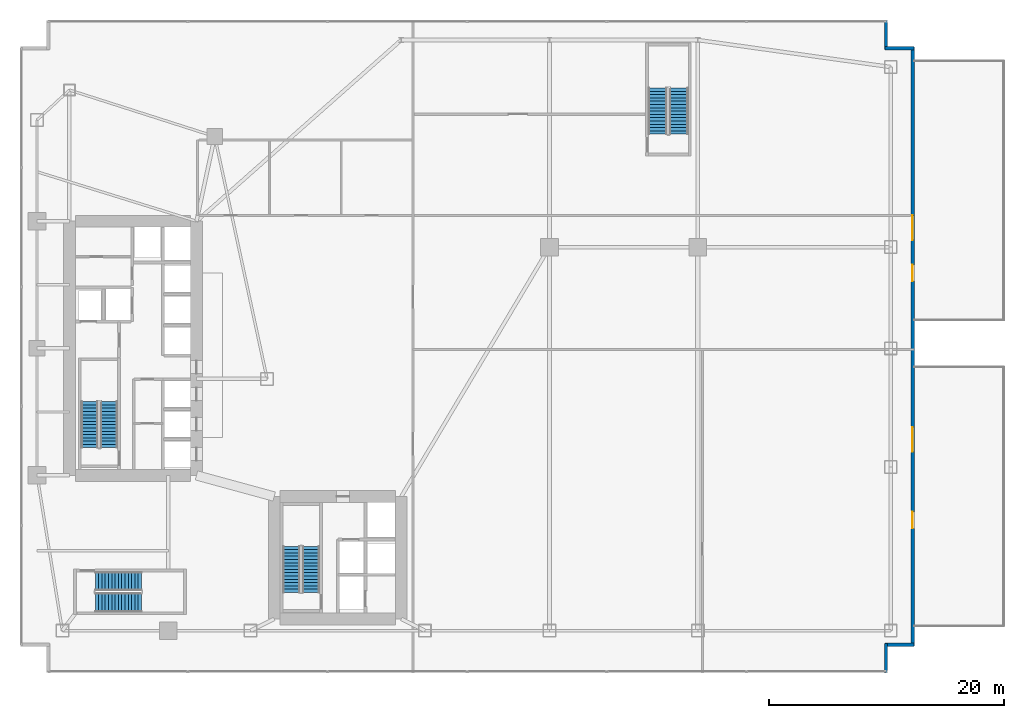
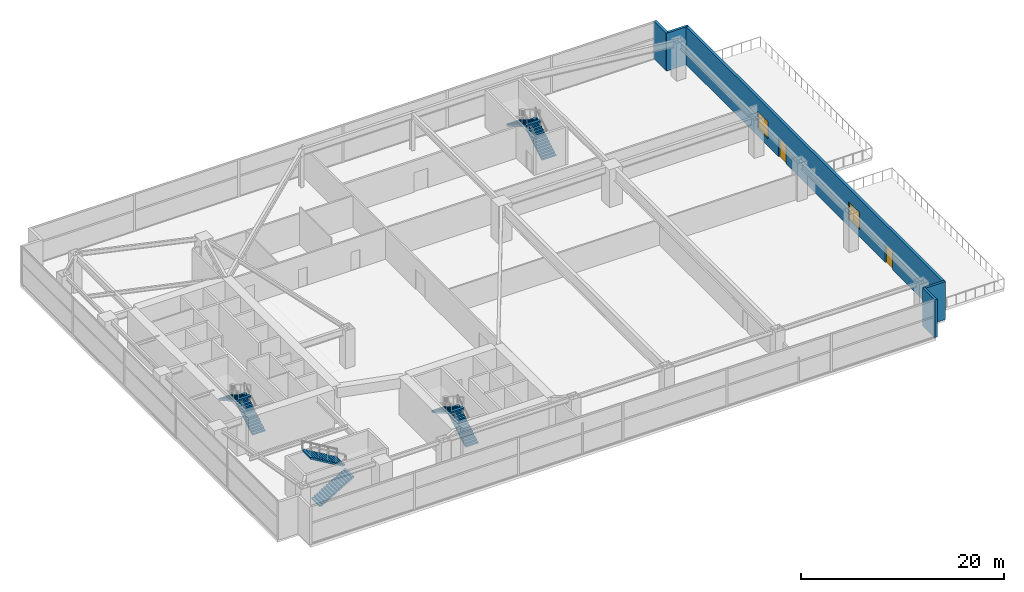
# One storey, part 27 of 30: 8 stair flights, 5 walls, 2 doors, 2 windows, 4 openings, 4 elements without a shape of their own.
"""IFC4 building model written with IfcOpenShell, lengths in metres."""

import ifcopenshell
import ifcopenshell.guid

model = None  # the IFC model being written
_history = None  # IfcOwnerHistory: only IFC2X3 demands one
_inside = {}  # id of a spatial element -> (the spatial element, [elements in it])
_under = {}  # id of a project, library or spatial element -> (it, [spatial elements below it])
_declared = {}  # id of a project -> (the project, [libraries it declares])
_typed = {}  # id of a type object -> (the type object, [elements of that type])
_made_of = {}  # id of a material, layer set ... -> (it, [elements and type objects made of it])


def new_model(schema):
    """Start an empty IFC model of exactly this schema.

    Asked for "IFC4X3", IfcOpenShell would pick the latest addendum, in which some entities
    have other attributes; the version numbers below select the first issue.
    IFC2X3 requires an IfcOwnerHistory on every rooted entity: one is made here for all.
    """
    global model, _history
    if schema == "IFC4X3":
        model = ifcopenshell.file(schema_version=(4, 3, 0, 0))
    else:
        model = ifcopenshell.file(schema=schema)
    _inside.clear()
    _under.clear()
    _declared.clear()
    _typed.clear()
    _made_of.clear()
    _history = None
    if model.schema == "IFC2X3":
        org = make("IfcOrganization", Name="unknown")
        user = make(
            "IfcPersonAndOrganization",
            ThePerson=make("IfcPerson", FamilyName="unknown"),
            TheOrganization=org,
        )
        app = make(
            "IfcApplication",
            ApplicationDeveloper=org,
            Version="unknown",
            ApplicationFullName="unknown",
            ApplicationIdentifier="unknown",
        )
        _history = make(
            "IfcOwnerHistory",
            OwningUser=user,
            OwningApplication=app,
            ChangeAction="ADDED",
            CreationDate=0,
        )
    return model


def make(cls, **values):
    """One entity of the class cls with the attributes given. An attribute that is None is left unset."""
    return model.create_entity(
        cls, **{name: value for name, value in values.items() if value is not None}
    )


def rooted(cls, **values):
    """An entity with a GlobalId (a new one), such as an element, a storey or a relation."""
    return make(cls, GlobalId=ifcopenshell.guid.new(), OwnerHistory=_history, **values)


def si_unit(unit_type, name, prefix=None):
    """IfcSIUnit, for example si_unit("LENGTHUNIT", "METRE", prefix="MILLI")."""
    return make("IfcSIUnit", UnitType=unit_type, Prefix=prefix, Name=name)


def assignment(units):
    """IfcUnitAssignment: the units of a project."""
    return None if units is None else make("IfcUnitAssignment", Units=units)


def point(xyz):
    """IfcCartesianPoint."""
    return None if xyz is None else make("IfcCartesianPoint", Coordinates=xyz)


def direction(xyz):
    """IfcDirection."""
    return None if xyz is None else make("IfcDirection", DirectionRatios=xyz)


def frame(location, z_axis=None, x_axis=None):
    """IfcAxis2Placement3D, a coordinate frame: its origin and axes. An axis left out is left unset."""
    return make(
        "IfcAxis2Placement3D",
        Location=point(location),
        Axis=direction(z_axis),
        RefDirection=direction(x_axis),
    )


def frame_2d(location, x_axis=None):
    """IfcAxis2Placement2D, a coordinate frame in the plane: its origin and x axis."""
    return make(
        "IfcAxis2Placement2D", Location=point(location), RefDirection=direction(x_axis)
    )


def origin():
    """The frame at (0, 0, 0) with its axes left unset."""
    return frame((0.0, 0.0, 0.0))


def place(relative_to, where):
    """IfcLocalPlacement: puts the frame where relative to a parent placement (None: the world)."""
    return make(
        "IfcLocalPlacement", PlacementRelTo=relative_to, RelativePlacement=where
    )


def context(
    kind, dimensions, precision=None, world=None, true_north=None, identifier=None
):
    """IfcGeometricRepresentationContext, for example the 3D "Model" context."""
    return make(
        "IfcGeometricRepresentationContext",
        ContextIdentifier=identifier,
        ContextType=kind,
        CoordinateSpaceDimension=dimensions,
        Precision=precision,
        WorldCoordinateSystem=world,
        TrueNorth=true_north,
    )


def subcontext(parent, identifier, kind, view, scale=None):
    """IfcGeometricRepresentationSubContext, for example "Body" below "Model"."""
    return make(
        "IfcGeometricRepresentationSubContext",
        ContextIdentifier=identifier,
        ContextType=kind,
        ParentContext=parent,
        TargetScale=scale,
        TargetView=view,
    )


def project(units=None, contexts=None):
    """IfcProject with its units and contexts."""
    return rooted(
        "IfcProject",
        Name="project",
        RepresentationContexts=contexts,
        UnitsInContext=assignment(units),
    )


def spatial(cls, under=None, at=None, **own):
    """A site, building, storey or space (cls), placed at a placement, below another one or the project."""
    s = rooted(cls, ObjectPlacement=at, **own)
    if under is not None:
        _under.setdefault(under.id(), (under, []))[1].append(s)
    return s


def polyline(points):
    """IfcPolyline through the points."""
    return make("IfcPolyline", Points=[point(p) for p in points])


def profile(cls, at=None, kind="AREA", **sizes):
    """A parametric profile (cls). Its sizes go by their IFC names, for example OverallWidth=200.0."""
    return make(cls, ProfileType=kind, Position=at, **sizes)


def rectangle(**sizes):
    """IfcRectangleProfileDef."""
    return profile("IfcRectangleProfileDef", **sizes)


def outline(outer, holes=None, kind="AREA"):
    """IfcArbitraryClosedProfileDef: a profile drawn as a closed curve; with holes, ...WithVoids."""
    if holes is None:
        return make("IfcArbitraryClosedProfileDef", ProfileType=kind, OuterCurve=outer)
    return make(
        "IfcArbitraryProfileDefWithVoids",
        ProfileType=kind,
        OuterCurve=outer,
        InnerCurves=holes,
    )


def extrude(swept, where, along, depth):
    """IfcExtrudedAreaSolid: the profile swept, set in the frame where, extruded along a direction by depth."""
    return make(
        "IfcExtrudedAreaSolid",
        SweptArea=swept,
        Position=where,
        ExtrudedDirection=direction(along),
        Depth=depth,
    )


def shape(context_of_items, identifier, shape_type, items):
    """IfcShapeRepresentation: the items that make up one representation, for example the "Body"."""
    return make(
        "IfcShapeRepresentation",
        ContextOfItems=context_of_items,
        RepresentationIdentifier=identifier,
        RepresentationType=shape_type,
        Items=items,
    )


def material(Name=None, Category=None):
    """IfcMaterial."""
    return make("IfcMaterial", Name=Name, Category=Category)


def layer(
    of_material, thickness, ventilated=None, Name=None, Category=None, Priority=None
):
    """IfcMaterialLayer: one layer of a wall or slab, of a material (None: an air gap)."""
    return make(
        "IfcMaterialLayer",
        Material=of_material,
        LayerThickness=thickness,
        IsVentilated=ventilated,
        Name=Name,
        Category=Category,
        Priority=Priority,
    )


def layer_set(layers, Name=None):
    """IfcMaterialLayerSet."""
    return make("IfcMaterialLayerSet", MaterialLayers=layers, LayerSetName=Name)


def made_of(thing, what):
    """Note that an element or type object is made of a material, layer set ...; save() writes the relation."""
    if what is not None:
        _made_of.setdefault(what.id(), (what, []))[1].append(thing)
    return thing


def type_object(cls, material=None, **own):
    """A type object (cls), such as IfcWallType, which elements share."""
    return made_of(rooted(cls, **own), material)


def element(
    cls,
    number,
    at=None,
    inside=None,
    cuts=None,
    type_object=None,
    material=None,
    context=None,
    identifier="Body",
    shape_type=None,
    held_by="IfcProductDefinitionShape",
    body=None,
    shapes=None,
    **own,
):
    """One element of the class cls, such as IfcWall. Its Tag is "e" and its number.

    at: its placement. inside: the storey or other place that contains it. cuts: it is an
    opening in that element (IfcRelVoidsElement). A single representation is given by context,
    identifier, shape_type and body (its items); several are given by shapes. held_by: the class
    of the entity that holds the representations. save() writes the other relations.
    """
    e = rooted(cls, Tag="e%d" % number, ObjectPlacement=at, **own)
    if body is not None:
        shapes = [shape(context, identifier, shape_type, body)]
    if shapes is not None:
        e.Representation = make(held_by, Representations=shapes)
    if inside is not None:
        _inside.setdefault(inside.id(), (inside, []))[1].append(e)
    if cuts is not None:
        rooted(
            "IfcRelVoidsElement", RelatingBuildingElement=cuts, RelatedOpeningElement=e
        )
    if type_object is not None:
        _typed.setdefault(type_object.id(), (type_object, []))[1].append(e)
    return made_of(e, material)


def fill(opening, filler):
    """IfcRelFillsElement: the door or window that sits in an opening."""
    return rooted(
        "IfcRelFillsElement",
        RelatingOpeningElement=opening,
        RelatedBuildingElement=filler,
    )


def aggregate(whole, parts):
    """IfcRelAggregates: a whole, such as a stair, and the parts it consists of."""
    return rooted("IfcRelAggregates", RelatingObject=whole, RelatedObjects=parts)


def save(model, path):
    """Write the relations noted so far, then the file.

    IfcRelAggregates (storeys below a building ...), IfcRelContainedInSpatialStructure (elements
    in a storey), IfcRelDefinesByType, IfcRelAssociatesMaterial and IfcRelDeclares: one each for
    every whole, place, type object, material and project.
    """
    for whole, parts in _under.values():
        aggregate(whole, parts)
    for where, things in _inside.values():
        rooted(
            "IfcRelContainedInSpatialStructure",
            RelatedElements=things,
            RelatingStructure=where,
        )
    for kind, things in _typed.values():
        rooted("IfcRelDefinesByType", RelatedObjects=things, RelatingType=kind)
    for what, things in _made_of.values():
        rooted("IfcRelAssociatesMaterial", RelatedObjects=things, RelatingMaterial=what)
    for by, libraries in _declared.values():
        rooted("IfcRelDeclares", RelatingContext=by, RelatedDefinitions=libraries)
    model.write(path)


model = new_model("IFC4")

# Units and contexts
model_context = context("Model", 3, precision=1e-05, world=origin(), true_north=direction((0.0, 1.0)))
body_context = subcontext(model_context, "Body", "Model", "MODEL_VIEW")
ifc_project = project(units=[si_unit("LENGTHUNIT", "METRE"), si_unit("AREAUNIT", "SQUARE_METRE"), si_unit("VOLUMEUNIT", "CUBIC_METRE"), si_unit("PLANEANGLEUNIT", "RADIAN"), si_unit("MASSUNIT", "GRAM", prefix="KILO")], contexts=[model_context])

# Site, building, storey
site_placement = place(None, origin())
site = spatial("IfcSite", under=ifc_project, at=site_placement, CompositionType="ELEMENT")
building_placement = place(site_placement, origin())
building = spatial("IfcBuilding", under=site, at=building_placement, Name="Calvorn Quay Hotel", CompositionType="ELEMENT")
storey_placement = place(building_placement, frame((0.0, 0.0, 17.0)))
storey = spatial("IfcBuildingStorey", under=building, at=storey_placement, Name="L03", CompositionType="ELEMENT", Elevation=17.0)

# Walls
ifc_material_1 = material(Name="Concrete C40", Category="concrete")
ifc_layer = layer(ifc_material_1, 0.320068359375)
ifc_layer_set = layer_set([ifc_layer], Name="WL-EXT-SPANDREL-320")
wall_type = type_object("IfcWallType", Name="WL-EXT-SPANDREL-320", PredefinedType="SOLIDWALL", material=ifc_layer_set)
for number, where, z_axis, x_axis, name in (
    (1, (73.60009765625, 0.0400390625, 0.0), (0.0, 0.0, 1.0), (0.0, 1.0, 0.0), "Podium Notched Corner Wall L03-SE1"),
    (2, (73.5, 2.39990234375, 0.0), (0.0, 0.0, 1.0), (1.0, 0.0, 0.0), "Podium Notched Corner Wall L03-SE2"),
    (3, (75.9599609375, 53.10009765625, 0.0), (0.0, 0.0, 1.0), (-1.0, 0.0, 0.0), "Podium Notched Corner Wall L03-NE1"),
    (4, (73.60009765625, 53.0, 0.0), (0.0, 0.0, 1.0), (0.0, 1.0, 0.0), "Podium Notched Corner Wall L03-NE2"),
):
    element("IfcWall", number, at=place(storey_placement, frame(where, z_axis=z_axis, x_axis=x_axis)), inside=storey, type_object=wall_type, Name=name, PredefinedType="SOLIDWALL", context=body_context, shape_type="SweptSolid", body=[
        extrude(rectangle(XDim=2.4599609375, YDim=0.280029296875, at=frame_2d((1.22998046875, 0.0))), origin(), (0.0, 0.0, 1.0), 4.550048828125),
    ])

# Wall, openings, doors, windows
wall_placement = place(storey_placement, frame((75.85009765625, 2.300048828125, 0.0), z_axis=(0.0, 0.0, 1.0), x_axis=(0.0, 1.0, 0.0)))
wall = element("IfcWall", 5, at=wall_placement, inside=storey, type_object=wall_type, Name="L03 Waterfront Terrace Wall", PredefinedType="SOLIDWALL", context=body_context, shape_type="SweptSolid", body=[
    extrude(rectangle(XDim=50.89990234375, YDim=0.300048828125, at=frame_2d((25.449951171875, 0.0))), origin(), (0.0, 0.0, 1.0), 4.550048828125),
])
opening_1_placement = place(wall_placement, frame((10.0, 0.0, 0.0)))
opening_1 = element("IfcOpeningElement", 6, at=opening_1_placement, cuts=wall, Name="Opening D-L03-TR1", PredefinedType="OPENING", context=body_context, shape_type="SweptSolid", body=[
    extrude(rectangle(XDim=1.39990234375, YDim=2.25, at=frame_2d((0.699951171875, 1.125))), frame((0.0, 0.159912109375, 0.0), z_axis=(0.0, -1.0, 0.0), x_axis=(1.0, 0.0, 0.0)), (0.0, 0.0, 1.0), 0.320068359375),
])
opening_2_placement = place(wall_placement, frame((31.0, 0.0, 0.0)))
opening_2 = element("IfcOpeningElement", 7, at=opening_2_placement, cuts=wall, Name="Opening D-L03-TR2", PredefinedType="OPENING", context=body_context, shape_type="SweptSolid", body=[
    extrude(rectangle(XDim=1.39990234375, YDim=2.25, at=frame_2d((0.699951171875, 1.125))), frame((0.0, 0.159912109375, 0.0), z_axis=(0.0, -1.0, 0.0), x_axis=(1.0, 0.0, 0.0)), (0.0, 0.0, 1.0), 0.320068359375),
])
opening_3_placement = place(wall_placement, frame((16.5, 0.0, 0.85009765625)))
opening_3 = element("IfcOpeningElement", 8, at=opening_3_placement, cuts=wall, Name="Opening WD-L03-1", PredefinedType="OPENING", context=body_context, shape_type="SweptSolid", body=[
    extrude(rectangle(XDim=2.10009765625, YDim=2.10009765625, at=frame_2d((1.050048828125, 1.050048828125))), frame((0.0, 0.159912109375, 0.0), z_axis=(0.0, -1.0, 0.0), x_axis=(1.0, 0.0, 0.0)), (0.0, 0.0, 1.0), 0.320068359375),
])
opening_4_placement = place(wall_placement, frame((34.5, 0.0, 0.85009765625)))
opening_4 = element("IfcOpeningElement", 9, at=opening_4_placement, cuts=wall, Name="Opening WD-L03-2", PredefinedType="OPENING", context=body_context, shape_type="SweptSolid", body=[
    extrude(rectangle(XDim=2.10009765625, YDim=2.10009765625, at=frame_2d((1.050048828125, 1.050048828125))), frame((0.0, 0.159912109375, 0.0), z_axis=(0.0, -1.0, 0.0), x_axis=(1.0, 0.0, 0.0)), (0.0, 0.0, 1.0), 0.320068359375),
])
ifc_material_2 = material(Name="Typhoon-Rated Low-E Aluminium Terrace Door", Category="aluminium")
door_type = type_object("IfcDoorType", Name="DR-BALCONY-GLZ-1400", OperationType="NOTDEFINED", PredefinedType="DOOR", material=ifc_material_2)
door_1_placement = place(opening_1_placement, origin())
door_1 = element("IfcDoor", 10, at=door_1_placement, inside=storey, type_object=door_type, Name="L03 Waterfront Terrace Door 1", OperationType="SINGLE_SWING_LEFT", OverallHeight=2.25, OverallWidth=1.39990234375, PredefinedType="DOOR", context=body_context, shape_type="SweptSolid", body=[
    extrude(rectangle(XDim=1.39990234375, YDim=2.25, at=frame_2d((0.699951171875, 1.125))), frame((0.0, 0.02490234375, 0.0), z_axis=(0.0, -1.0, 0.0), x_axis=(1.0, 0.0, 0.0)), (0.0, 0.0, 1.0), 0.050048828125),
])
fill(opening_1, door_1)
door_2_placement = place(opening_2_placement, origin())
door_2 = element("IfcDoor", 11, at=door_2_placement, inside=storey, type_object=door_type, Name="L03 Waterfront Terrace Door 2", OperationType="SINGLE_SWING_LEFT", OverallHeight=2.25, OverallWidth=1.39990234375, PredefinedType="DOOR", context=body_context, shape_type="SweptSolid", body=[
    extrude(rectangle(XDim=1.39990234375, YDim=2.25, at=frame_2d((0.699951171875, 1.125))), frame((0.0, 0.02490234375, 0.0), z_axis=(0.0, -1.0, 0.0), x_axis=(1.0, 0.0, 0.0)), (0.0, 0.0, 1.0), 0.050048828125),
])
fill(opening_2, door_2)
ifc_material_3 = material(Name="Thermally Broken Aluminium Low-E Window", Category="aluminium")
window_type = type_object("IfcWindowType", Name="WIN-DINING-2100x2400", PartitioningType="SINGLE_PANEL", PredefinedType="WINDOW", material=ifc_material_3)
window_1_placement = place(opening_3_placement, origin())
window_1 = element("IfcWindow", 12, at=window_1_placement, inside=storey, type_object=window_type, Name="Dining Terrace Window 1", OverallHeight=2.10009765625, OverallWidth=2.10009765625, PartitioningType="SINGLE_PANEL", PredefinedType="WINDOW", context=body_context, shape_type="SweptSolid", body=[
    extrude(rectangle(XDim=2.10009765625, YDim=2.10009765625, at=frame_2d((1.050048828125, 1.050048828125))), frame((0.0, 0.030029296875, 0.0), z_axis=(0.0, -1.0, 0.0), x_axis=(1.0, 0.0, 0.0)), (0.0, 0.0, 1.0), 0.06005859375),
])
fill(opening_3, window_1)
window_2_placement = place(opening_4_placement, origin())
window_2 = element("IfcWindow", 13, at=window_2_placement, inside=storey, type_object=window_type, Name="Dining Terrace Window 2", OverallHeight=2.10009765625, OverallWidth=2.10009765625, PartitioningType="SINGLE_PANEL", PredefinedType="WINDOW", context=body_context, shape_type="SweptSolid", body=[
    extrude(rectangle(XDim=2.10009765625, YDim=2.10009765625, at=frame_2d((1.050048828125, 1.050048828125))), frame((0.0, 0.030029296875, 0.0), z_axis=(0.0, -1.0, 0.0), x_axis=(1.0, 0.0, 0.0)), (0.0, 0.0, 1.0), 0.06005859375),
])
fill(opening_4, window_2)

# Stair, stair flights
ifc_material_4 = material(Name="Concrete C40", Category="concrete")
stair_type_1 = type_object("IfcStairType", Name="STR-CORE-DOGLEG", PredefinedType="HALF_TURN_STAIR", material=ifc_material_4)
stair_1_placement = place(storey_placement, origin())
stair_1 = element("IfcStair", 14, at=stair_1_placement, inside=storey, type_object=stair_type_1, Name="L03 ST-W", PredefinedType="HALF_TURN_STAIR")
ifc_material_5 = material(Name="Concrete C40", Category="concrete")
stair_flight_type_1 = type_object("IfcStairFlightType", Name="FLT-CORE-1550", PredefinedType="STRAIGHT", material=ifc_material_5)
stair_flight_1_placement = place(storey_placement, frame((7.574951171875, 19.14990234375, 0.0), z_axis=(0.0, 0.0, 1.0), x_axis=(0.0, 1.0, 0.0)))
stair_flight_1 = element("IfcStairFlight", 15, at=stair_flight_1_placement, type_object=stair_flight_type_1, Name="ST-W flight 1", NumberOfRisers=15, NumberOfTreads=14, PredefinedType="STRAIGHT", RiserHeight=0.166666667, TreadLength=0.28, context=body_context, shape_type="SweptSolid", body=[
    extrude(outline(polyline([(0.0, 0.0), (0.0, 0.166748046875), (0.280029296875, 0.166748046875), (0.280029296875, 0.333251953125), (0.56005859375, 0.333251953125), (0.56005859375, 0.5), (0.840087890625, 0.5), (0.840087890625, 0.666748046875), (1.1201171875, 0.666748046875), (1.1201171875, 0.833251953125), (1.39990234375, 0.833251953125), (1.39990234375, 1.0), (1.679931640625, 1.0), (1.679931640625, 1.166748046875), (1.9599609375, 1.166748046875), (1.9599609375, 1.333251953125), (2.239990234375, 1.333251953125), (2.239990234375, 1.5), (2.52001953125, 1.5), (2.52001953125, 1.666748046875), (2.800048828125, 1.666748046875), (2.800048828125, 1.833251953125), (3.080078125, 1.833251953125), (3.080078125, 2.0), (3.360107421875, 2.0), (3.360107421875, 2.166748046875), (3.639892578125, 2.166748046875), (3.639892578125, 2.333251953125), (3.919921875, 2.333251953125), (3.919921875, 2.5), (3.919921875, 2.158935546875), (0.29296875, 0.0), (0.0, 0.0)])), frame((0.0, 0.72509765625, 0.0), z_axis=(0.0, -1.0, 0.0), x_axis=(1.0, 0.0, 0.0)), (0.0, 0.0, 1.0), 1.449951171875),
])
stair_flight_2_placement = place(storey_placement, frame((5.925048828125, 23.070068359375, 2.5), z_axis=(0.0, 0.0, 1.0), x_axis=(0.0, -1.0, 0.0)))
stair_flight_2 = element("IfcStairFlight", 16, at=stair_flight_2_placement, type_object=stair_flight_type_1, Name="ST-W flight 2", NumberOfRisers=15, NumberOfTreads=14, PredefinedType="STRAIGHT", RiserHeight=0.166666667, TreadLength=0.28, context=body_context, shape_type="SweptSolid", body=[
    extrude(outline(polyline([(0.0, 0.0), (0.0, 0.166748046875), (0.280029296875, 0.166748046875), (0.280029296875, 0.333251953125), (0.56005859375, 0.333251953125), (0.56005859375, 0.5), (0.840087890625, 0.5), (0.840087890625, 0.666748046875), (1.1201171875, 0.666748046875), (1.1201171875, 0.833251953125), (1.39990234375, 0.833251953125), (1.39990234375, 1.0), (1.679931640625, 1.0), (1.679931640625, 1.166748046875), (1.9599609375, 1.166748046875), (1.9599609375, 1.333251953125), (2.239990234375, 1.333251953125), (2.239990234375, 1.5), (2.52001953125, 1.5), (2.52001953125, 1.666748046875), (2.800048828125, 1.666748046875), (2.800048828125, 1.833251953125), (3.080078125, 1.833251953125), (3.080078125, 2.0), (3.360107421875, 2.0), (3.360107421875, 2.166748046875), (3.639892578125, 2.166748046875), (3.639892578125, 2.333251953125), (3.919921875, 2.333251953125), (3.919921875, 2.5), (3.919921875, 2.158935546875), (0.29296875, 0.0), (0.0, 0.0)])), frame((0.0, 0.72509765625, 0.0), z_axis=(0.0, -1.0, 0.0), x_axis=(1.0, 0.0, 0.0)), (0.0, 0.0, 1.0), 1.449951171875),
])
aggregate(stair_1, [stair_flight_1, stair_flight_2])

stair_2_placement = place(storey_placement, origin())
stair_2 = element("IfcStair", 17, at=stair_2_placement, inside=storey, type_object=stair_type_1, Name="L03 ST-E", PredefinedType="HALF_TURN_STAIR")
stair_flight_3_placement = place(storey_placement, frame((24.72509765625, 6.85009765625, 0.0), z_axis=(0.0, 0.0, 1.0), x_axis=(0.0, 1.0, 0.0)))
stair_flight_3 = element("IfcStairFlight", 18, at=stair_flight_3_placement, type_object=stair_flight_type_1, Name="ST-E flight 1", NumberOfRisers=15, NumberOfTreads=14, PredefinedType="STRAIGHT", RiserHeight=0.166666667, TreadLength=0.28, context=body_context, shape_type="SweptSolid", body=[
    extrude(outline(polyline([(0.0, 0.0), (0.0, 0.166748046875), (0.280029296875, 0.166748046875), (0.280029296875, 0.333251953125), (0.56005859375, 0.333251953125), (0.56005859375, 0.5), (0.840087890625, 0.5), (0.840087890625, 0.666748046875), (1.1201171875, 0.666748046875), (1.1201171875, 0.833251953125), (1.39990234375, 0.833251953125), (1.39990234375, 1.0), (1.679931640625, 1.0), (1.679931640625, 1.166748046875), (1.9599609375, 1.166748046875), (1.9599609375, 1.333251953125), (2.239990234375, 1.333251953125), (2.239990234375, 1.5), (2.52001953125, 1.5), (2.52001953125, 1.666748046875), (2.800048828125, 1.666748046875), (2.800048828125, 1.833251953125), (3.080078125, 1.833251953125), (3.080078125, 2.0), (3.360107421875, 2.0), (3.360107421875, 2.166748046875), (3.639892578125, 2.166748046875), (3.639892578125, 2.333251953125), (3.919921875, 2.333251953125), (3.919921875, 2.5), (3.919921875, 2.158935546875), (0.29296875, 0.0), (0.0, 0.0)])), frame((0.0, 0.72509765625, 0.0), z_axis=(0.0, -1.0, 0.0), x_axis=(1.0, 0.0, 0.0)), (0.0, 0.0, 1.0), 1.449951171875),
])
stair_flight_4_placement = place(storey_placement, frame((23.074951171875, 10.77001953125, 2.5), z_axis=(0.0, 0.0, 1.0), x_axis=(0.0, -1.0, 0.0)))
stair_flight_4 = element("IfcStairFlight", 19, at=stair_flight_4_placement, type_object=stair_flight_type_1, Name="ST-E flight 2", NumberOfRisers=15, NumberOfTreads=14, PredefinedType="STRAIGHT", RiserHeight=0.166666667, TreadLength=0.28, context=body_context, shape_type="SweptSolid", body=[
    extrude(outline(polyline([(0.0, 0.0), (0.0, 0.166748046875), (0.280029296875, 0.166748046875), (0.280029296875, 0.333251953125), (0.56005859375, 0.333251953125), (0.56005859375, 0.5), (0.840087890625, 0.5), (0.840087890625, 0.666748046875), (1.1201171875, 0.666748046875), (1.1201171875, 0.833251953125), (1.39990234375, 0.833251953125), (1.39990234375, 1.0), (1.679931640625, 1.0), (1.679931640625, 1.166748046875), (1.9599609375, 1.166748046875), (1.9599609375, 1.333251953125), (2.239990234375, 1.333251953125), (2.239990234375, 1.5), (2.52001953125, 1.5), (2.52001953125, 1.666748046875), (2.800048828125, 1.666748046875), (2.800048828125, 1.833251953125), (3.080078125, 1.833251953125), (3.080078125, 2.0), (3.360107421875, 2.0), (3.360107421875, 2.166748046875), (3.639892578125, 2.166748046875), (3.639892578125, 2.333251953125), (3.919921875, 2.333251953125), (3.919921875, 2.5), (3.919921875, 2.158935546875), (0.29296875, 0.0), (0.0, 0.0)])), frame((0.0, 0.72509765625, 0.0), z_axis=(0.0, -1.0, 0.0), x_axis=(1.0, 0.0, 0.0)), (0.0, 0.0, 1.0), 1.449951171875),
])
aggregate(stair_2, [stair_flight_3, stair_flight_4])

ifc_material_6 = material(Name="Concrete C40", Category="concrete")
stair_type_2 = type_object("IfcStairType", Name="STR-POD-DOGLEG", PredefinedType="TWO_QUARTER_TURN_STAIR", material=ifc_material_6)
stair_3_placement = place(storey_placement, origin())
stair_3 = element("IfcStair", 20, at=stair_3_placement, inside=storey, type_object=stair_type_2, Name="L03 ST-P1", PredefinedType="TWO_QUARTER_TURN_STAIR")
ifc_material_7 = material(Name="Concrete C40", Category="concrete")
stair_flight_type_2 = type_object("IfcStairFlightType", Name="FLT-POD-1750", PredefinedType="STRAIGHT", material=ifc_material_7)
stair_flight_5_placement = place(storey_placement, frame((56.0, 45.800048828125, 0.0), z_axis=(0.0, 0.0, 1.0), x_axis=(0.0, 1.0, 0.0)))
stair_flight_5 = element("IfcStairFlight", 21, at=stair_flight_5_placement, type_object=stair_flight_type_2, Name="ST-P1 flight 1", NumberOfRisers=15, NumberOfTreads=14, PredefinedType="STRAIGHT", RiserHeight=0.166666667, TreadLength=0.28, context=body_context, shape_type="SweptSolid", body=[
    extrude(outline(polyline([(0.0, 0.0), (0.0, 0.166748046875), (0.280029296875, 0.166748046875), (0.280029296875, 0.333251953125), (0.56005859375, 0.333251953125), (0.56005859375, 0.5), (0.840087890625, 0.5), (0.840087890625, 0.666748046875), (1.1201171875, 0.666748046875), (1.1201171875, 0.833251953125), (1.39990234375, 0.833251953125), (1.39990234375, 1.0), (1.679931640625, 1.0), (1.679931640625, 1.166748046875), (1.9599609375, 1.166748046875), (1.9599609375, 1.333251953125), (2.239990234375, 1.333251953125), (2.239990234375, 1.5), (2.52001953125, 1.5), (2.52001953125, 1.666748046875), (2.800048828125, 1.666748046875), (2.800048828125, 1.833251953125), (3.080078125, 1.833251953125), (3.080078125, 2.0), (3.360107421875, 2.0), (3.360107421875, 2.166748046875), (3.639892578125, 2.166748046875), (3.639892578125, 2.333251953125), (3.919921875, 2.333251953125), (3.919921875, 2.5), (3.919921875, 2.158935546875), (0.29296875, 0.0), (0.0, 0.0)])), frame((0.0, 0.800048828125, 0.0), z_axis=(0.0, -1.0, 0.0), x_axis=(1.0, 0.0, 0.0)), (0.0, 0.0, 1.0), 1.60009765625),
])
stair_flight_6_placement = place(storey_placement, frame((54.199951171875, 49.719970703125, 2.5), z_axis=(0.0, 0.0, 1.0), x_axis=(0.0, -1.0, 0.0)))
stair_flight_6 = element("IfcStairFlight", 22, at=stair_flight_6_placement, type_object=stair_flight_type_2, Name="ST-P1 flight 2", NumberOfRisers=15, NumberOfTreads=14, PredefinedType="STRAIGHT", RiserHeight=0.166666667, TreadLength=0.28, context=body_context, shape_type="SweptSolid", body=[
    extrude(outline(polyline([(0.0, 0.0), (0.0, 0.166748046875), (0.280029296875, 0.166748046875), (0.280029296875, 0.333251953125), (0.56005859375, 0.333251953125), (0.56005859375, 0.5), (0.840087890625, 0.5), (0.840087890625, 0.666748046875), (1.1201171875, 0.666748046875), (1.1201171875, 0.833251953125), (1.39990234375, 0.833251953125), (1.39990234375, 1.0), (1.679931640625, 1.0), (1.679931640625, 1.166748046875), (1.9599609375, 1.166748046875), (1.9599609375, 1.333251953125), (2.239990234375, 1.333251953125), (2.239990234375, 1.5), (2.52001953125, 1.5), (2.52001953125, 1.666748046875), (2.800048828125, 1.666748046875), (2.800048828125, 1.833251953125), (3.080078125, 1.833251953125), (3.080078125, 2.0), (3.360107421875, 2.0), (3.360107421875, 2.166748046875), (3.639892578125, 2.166748046875), (3.639892578125, 2.333251953125), (3.919921875, 2.333251953125), (3.919921875, 2.5), (3.919921875, 2.158935546875), (0.29296875, 0.0), (0.0, 0.0)])), frame((0.0, 0.800048828125, 0.0), z_axis=(0.0, -1.0, 0.0), x_axis=(1.0, 0.0, 0.0)), (0.0, 0.0, 1.0), 1.60009765625),
])
aggregate(stair_3, [stair_flight_5, stair_flight_6])

stair_4_placement = place(storey_placement, origin())
stair_4 = element("IfcStair", 23, at=stair_4_placement, inside=storey, type_object=stair_type_2, Name="L03 ST-P2", PredefinedType="TWO_QUARTER_TURN_STAIR")
stair_flight_7_placement = place(storey_placement, frame((6.39990234375, 6.0, 0.0), z_axis=(0.0, 0.0, 1.0), x_axis=(1.0, 0.0, 0.0)))
stair_flight_7 = element("IfcStairFlight", 24, at=stair_flight_7_placement, type_object=stair_flight_type_2, Name="ST-P2 flight 1", NumberOfRisers=15, NumberOfTreads=14, PredefinedType="STRAIGHT", RiserHeight=0.166666667, TreadLength=0.28, context=body_context, shape_type="SweptSolid", body=[
    extrude(outline(polyline([(0.0, 0.0), (0.0, 0.166748046875), (0.280029296875, 0.166748046875), (0.280029296875, 0.333251953125), (0.56005859375, 0.333251953125), (0.56005859375, 0.5), (0.840087890625, 0.5), (0.840087890625, 0.666748046875), (1.1201171875, 0.666748046875), (1.1201171875, 0.833251953125), (1.39990234375, 0.833251953125), (1.39990234375, 1.0), (1.679931640625, 1.0), (1.679931640625, 1.166748046875), (1.9599609375, 1.166748046875), (1.9599609375, 1.333251953125), (2.239990234375, 1.333251953125), (2.239990234375, 1.5), (2.52001953125, 1.5), (2.52001953125, 1.666748046875), (2.800048828125, 1.666748046875), (2.800048828125, 1.833251953125), (3.080078125, 1.833251953125), (3.080078125, 2.0), (3.360107421875, 2.0), (3.360107421875, 2.166748046875), (3.639892578125, 2.166748046875), (3.639892578125, 2.333251953125), (3.919921875, 2.333251953125), (3.919921875, 2.5), (3.919921875, 2.158935546875), (0.29296875, 0.0), (0.0, 0.0)])), frame((0.0, 0.800048828125, 0.0), z_axis=(0.0, -1.0, 0.0), x_axis=(1.0, 0.0, 0.0)), (0.0, 0.0, 1.0), 1.60009765625),
])
stair_flight_8_placement = place(storey_placement, frame((10.320068359375, 7.800048828125, 2.5), z_axis=(0.0, 0.0, 1.0), x_axis=(-1.0, 0.0, 0.0)))
stair_flight_8 = element("IfcStairFlight", 25, at=stair_flight_8_placement, type_object=stair_flight_type_2, Name="ST-P2 flight 2", NumberOfRisers=15, NumberOfTreads=14, PredefinedType="STRAIGHT", RiserHeight=0.166666667, TreadLength=0.28, context=body_context, shape_type="SweptSolid", body=[
    extrude(outline(polyline([(0.0, 0.0), (0.0, 0.166748046875), (0.280029296875, 0.166748046875), (0.280029296875, 0.333251953125), (0.56005859375, 0.333251953125), (0.56005859375, 0.5), (0.840087890625, 0.5), (0.840087890625, 0.666748046875), (1.1201171875, 0.666748046875), (1.1201171875, 0.833251953125), (1.39990234375, 0.833251953125), (1.39990234375, 1.0), (1.679931640625, 1.0), (1.679931640625, 1.166748046875), (1.9599609375, 1.166748046875), (1.9599609375, 1.333251953125), (2.239990234375, 1.333251953125), (2.239990234375, 1.5), (2.52001953125, 1.5), (2.52001953125, 1.666748046875), (2.800048828125, 1.666748046875), (2.800048828125, 1.833251953125), (3.080078125, 1.833251953125), (3.080078125, 2.0), (3.360107421875, 2.0), (3.360107421875, 2.166748046875), (3.639892578125, 2.166748046875), (3.639892578125, 2.333251953125), (3.919921875, 2.333251953125), (3.919921875, 2.5), (3.919921875, 2.158935546875), (0.29296875, 0.0), (0.0, 0.0)])), frame((0.0, 0.800048828125, 0.0), z_axis=(0.0, -1.0, 0.0), x_axis=(1.0, 0.0, 0.0)), (0.0, 0.0, 1.0), 1.60009765625),
])
aggregate(stair_4, [stair_flight_7, stair_flight_8])

save(model, "model.ifc")
